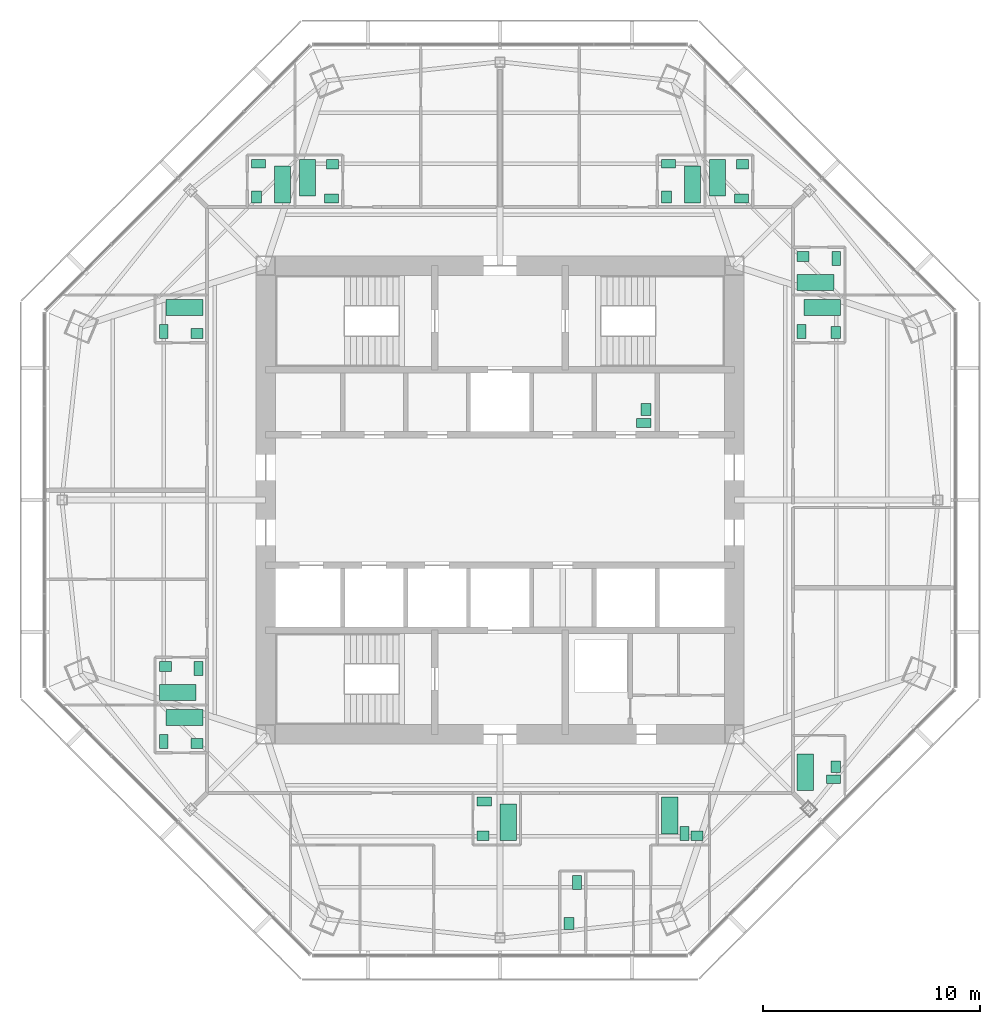
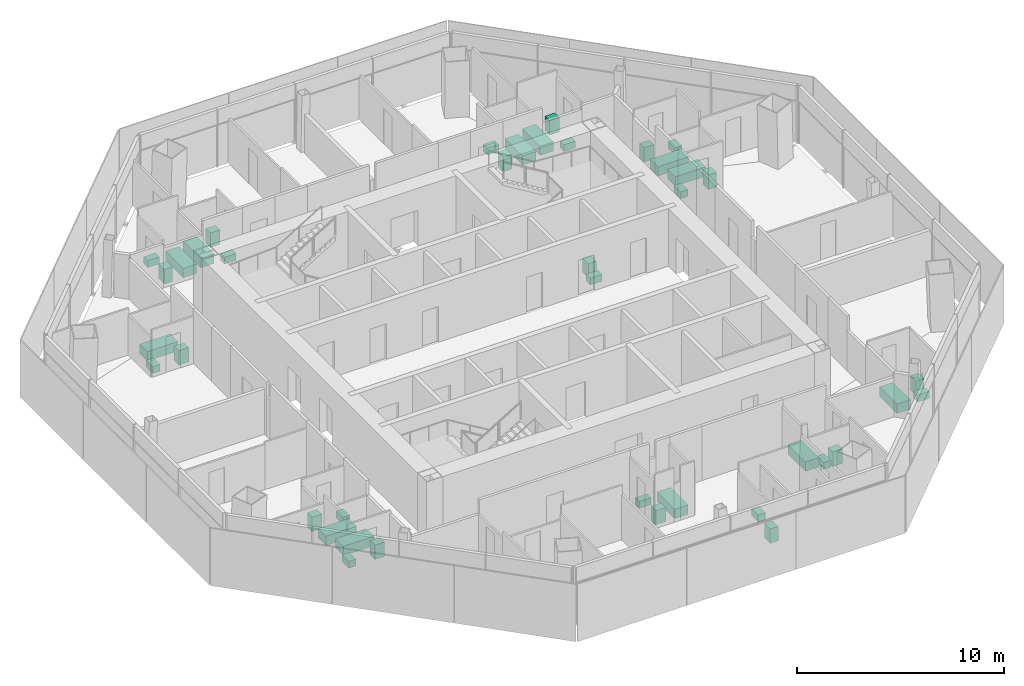
# One storey, part 15 of 15: 40 sanitary terminals.
"""IFC4 building model written with IfcOpenShell, lengths in metres."""

from ifc_helpers import new_model, si_unit, direction, frame, origin, origin_2d, place, context, subcontext, project, spatial, rectangle, extrude, material, type_object, element, save


model = new_model("IFC4")

# Units and contexts
model_context = context("Model", 3, precision=1e-05, world=origin(), true_north=direction((0.0, 1.0)))
body_context = subcontext(model_context, "Body", "Model", "MODEL_VIEW")
ifc_project = project(units=[si_unit("LENGTHUNIT", "METRE"), si_unit("AREAUNIT", "SQUARE_METRE"), si_unit("VOLUMEUNIT", "CUBIC_METRE"), si_unit("PLANEANGLEUNIT", "RADIAN"), si_unit("MASSUNIT", "GRAM", prefix="KILO")], contexts=[model_context])

# Site, building, storey
site_placement = place(None, origin())
site = spatial("IfcSite", under=ifc_project, at=site_placement, CompositionType="ELEMENT")
building_placement = place(site_placement, origin())
building = spatial("IfcBuilding", under=site, at=building_placement, Name="Mashrafa Tower", CompositionType="ELEMENT")
storey_placement = place(building_placement, frame((0.0, 0.0, 248.199951171875)))
storey = spatial("IfcBuildingStorey", under=building, at=storey_placement, Name="L59", CompositionType="ELEMENT", Elevation=248.199951171875)

# Sanitary terminals
ifc_material_1 = material(Name="Enamelled steel", Category="steel")
sanitary_terminal_type_1 = type_object("IfcSanitaryTerminalType", Name="Bath 1700 x 750", PredefinedType="BATH", material=ifc_material_1)
for number, where, z_axis, x_axis, name in (
    (1, (14.074951171875, -12.550048828125, 0.0), (0.0, 0.0, 1.0), (0.0, -1.0, 0.0), "Bath Apartment 5901 Bathroom"),
    (2, (14.550048828125, 10.02490234375, 0.0), (0.0, 0.0, 1.0), (1.0, 0.0, 0.0), "Bath Apartment 5902 En-suite Bathroom"),
    (3, (14.85009765625, 8.875, 0.0), (0.0, 0.0, 1.0), (-1.0, 0.0, 0.0), "Bath Apartment 5902 Bathroom"),
    (4, (10.02490234375, 14.85009765625, 0.0), (0.0, 0.0, 1.0), (0.0, -1.0, 0.0), "Bath Apartment 5903 En-suite Bathroom"),
    (5, (8.875, 14.550048828125, 0.0), (0.0, 0.0, 1.0), (0.0, 1.0, 0.0), "Bath Apartment 5903 Bathroom"),
    (6, (-10.02490234375, 14.550048828125, 0.0), (0.0, 0.0, 1.0), (0.0, 1.0, 0.0), "Bath Apartment 5904 En-suite Bathroom"),
    (7, (-8.875, 14.85009765625, 0.0), (0.0, 0.0, 1.0), (0.0, -1.0, 0.0), "Bath Apartment 5904 Bathroom"),
    (8, (-14.550048828125, 8.875, 0.0), (0.0, 0.0, 1.0), (-1.0, 0.0, 0.0), "Bath Apartment 5905 Bathroom"),
    (9, (-14.550048828125, -10.02490234375, 0.0), (0.0, 0.0, 1.0), (-1.0, 0.0, 0.0), "Bath Apartment 5906 En-suite Bathroom"),
    (10, (-14.85009765625, -8.875, 0.0), (0.0, 0.0, 1.0), (1.0, 0.0, 0.0), "Bath Apartment 5906 Bathroom"),
    (11, (0.375, -14.85009765625, 0.0), (0.0, 0.0, 1.0), (0.0, 1.0, 0.0), "Bath Apartment 5907 Bathroom"),
    (12, (7.824951171875, -14.550048828125, 0.0), (0.0, 0.0, 1.0), (0.0, -1.0, 0.0), "Bath Apartment 5907 En-suite Bathroom"),
):
    element("IfcSanitaryTerminal", number, at=place(storey_placement, frame(where, z_axis=z_axis, x_axis=x_axis)), inside=storey, type_object=sanitary_terminal_type_1, Name=name, PredefinedType="BATH", context=body_context, shape_type="SweptSolid", body=[
        extrude(rectangle(XDim=1.699951171875, YDim=0.75, at=origin_2d()), origin(), (0.0, 0.0, 1.0), 0.550048828125),
    ])
ifc_material_2 = material(Name="Vitreous china")
sanitary_terminal_type_2 = type_object("IfcSanitaryTerminalType", Name="Toilet pan 400 x 650", PredefinedType="TOILETPAN", material=ifc_material_2)
for number, where, z_axis, x_axis, name in (
    (13, (6.625, 3.550048828125, 0.0), (0.0, 0.0, 1.0), (0.0, 1.0, 0.0), "Toilet pan Staff WC L59"),
    (14, (15.375, -12.8701171875, 0.0), (0.0, 0.0, 1.0), (0.0, 1.0, 0.0), "Toilet pan Apartment 5901 Bathroom"),
    (15, (15.5, 11.125, 0.0), (0.0, 0.0, 1.0), (-1.0, 0.0, 0.0), "Toilet pan Apartment 5902 En-suite Bathroom"),
    (16, (13.89990234375, 7.77490234375, 0.0), (0.0, 0.0, 1.0), (1.0, 0.0, 0.0), "Toilet pan Apartment 5902 Bathroom"),
    (17, (11.125, 13.89990234375, 0.0), (0.0, 0.0, 1.0), (0.0, 1.0, 0.0), "Toilet pan Apartment 5903 En-suite Bathroom"),
    (18, (7.77490234375, 15.5, 0.0), (0.0, 0.0, 1.0), (0.0, -1.0, 0.0), "Toilet pan Apartment 5903 Bathroom"),
    (19, (-11.125, 15.5, 0.0), (0.0, 0.0, 1.0), (0.0, -1.0, 0.0), "Toilet pan Apartment 5904 En-suite Bathroom"),
    (20, (-7.77490234375, 13.89990234375, 0.0), (0.0, 0.0, 1.0), (0.0, 1.0, 0.0), "Toilet pan Apartment 5904 Bathroom"),
    (21, (-15.5, 7.77490234375, 0.0), (0.0, 0.0, 1.0), (1.0, 0.0, 0.0), "Toilet pan Apartment 5905 Bathroom"),
    (22, (-15.5, -11.125, 0.0), (0.0, 0.0, 1.0), (1.0, 0.0, 0.0), "Toilet pan Apartment 5906 En-suite Bathroom"),
    (23, (-13.89990234375, -7.77490234375, 0.0), (0.0, 0.0, 1.0), (-1.0, 0.0, 0.0), "Toilet pan Apartment 5906 Bathroom"),
    (24, (-0.72509765625, -13.89990234375, 0.0), (0.0, 0.0, 1.0), (0.0, -1.0, 0.0), "Toilet pan Apartment 5907 Bathroom"),
    (25, (3.550048828125, -17.625, 0.0), (0.0, 0.0, 1.0), (-1.0, 0.0, 0.0), "Toilet pan Apartment 5907 Maid's WC"),
    (26, (8.5, -15.375, 0.0), (0.0, 0.0, 1.0), (1.0, 0.0, 0.0), "Toilet pan Apartment 5907 En-suite Bathroom"),
):
    element("IfcSanitaryTerminal", number, at=place(storey_placement, frame(where, z_axis=z_axis, x_axis=x_axis)), inside=storey, type_object=sanitary_terminal_type_2, Name=name, PredefinedType="TOILETPAN", context=body_context, shape_type="SweptSolid", body=[
        extrude(rectangle(XDim=0.39990234375, YDim=0.64990234375, at=origin_2d()), origin(), (0.0, 0.0, 1.0), 0.39990234375),
    ])
ifc_material_3 = material(Name="Vitreous china")
sanitary_terminal_type_3 = type_object("IfcSanitaryTerminalType", Name="Wash basin 550 x 450", PredefinedType="WASHHANDBASIN", material=ifc_material_3)
for number, where, z_axis, x_axis, name in (
    (27, (6.72509765625, 4.175048828125, 0.0), (0.0, 0.0, 1.0), (0.0, 1.0, 0.0), "Wash basin Staff WC L59"),
    (28, (15.47509765625, -12.294921875, 0.0), (0.0, 0.0, 1.0), (0.0, 1.0, 0.0), "Wash basin Apartment 5901 Bathroom"),
    (29, (13.97509765625, 11.22509765625, 0.0), (0.0, 0.0, 1.0), (-1.0, 0.0, 0.0), "Wash basin Apartment 5902 En-suite Bathroom"),
    (30, (15.47509765625, 7.72509765625, 0.0), (0.0, 0.0, 1.0), (0.0, 1.0, 0.0), "Wash basin Apartment 5902 Bathroom"),
    (31, (11.175048828125, 15.47509765625, 0.0), (0.0, 0.0, 1.0), (-1.0, 0.0, 0.0), "Wash basin Apartment 5903 En-suite Bathroom"),
    (32, (7.675048828125, 13.97509765625, 0.0), (0.0, 0.0, 1.0), (0.0, -1.0, 0.0), "Wash basin Apartment 5903 Bathroom"),
    (33, (-11.22509765625, 13.97509765625, 0.0), (0.0, 0.0, 1.0), (0.0, -1.0, 0.0), "Wash basin Apartment 5904 En-suite Bathroom"),
    (34, (-7.72509765625, 15.47509765625, 0.0), (0.0, 0.0, 1.0), (-1.0, 0.0, 0.0), "Wash basin Apartment 5904 Bathroom"),
    (35, (-13.97509765625, 7.675048828125, 0.0), (0.0, 0.0, 1.0), (1.0, 0.0, 0.0), "Wash basin Apartment 5905 Bathroom"),
    (36, (-13.97509765625, -11.22509765625, 0.0), (0.0, 0.0, 1.0), (1.0, 0.0, 0.0), "Wash basin Apartment 5906 En-suite Bathroom"),
    (37, (-15.425048828125, -7.675048828125, 0.0), (0.0, 0.0, 1.0), (-1.0, 0.0, 0.0), "Wash basin Apartment 5906 Bathroom"),
    (38, (-0.77490234375, -15.47509765625, 0.0), (0.0, 0.0, 1.0), (1.0, 0.0, 0.0), "Wash basin Apartment 5907 Bathroom"),
    (39, (3.175048828125, -19.52490234375, 0.0), (0.0, 0.0, 1.0), (0.0, -1.0, 0.0), "Wash basin Apartment 5907 Maid's WC"),
    (40, (9.074951171875, -15.47509765625, 0.0), (0.0, 0.0, 1.0), (1.0, 0.0, 0.0), "Wash basin Apartment 5907 En-suite Bathroom"),
):
    element("IfcSanitaryTerminal", number, at=place(storey_placement, frame(where, z_axis=z_axis, x_axis=x_axis)), inside=storey, type_object=sanitary_terminal_type_3, Name=name, PredefinedType="WASHHANDBASIN", context=body_context, shape_type="SweptSolid", body=[
        extrude(rectangle(XDim=0.550048828125, YDim=0.449951171875, at=origin_2d()), origin(), (0.0, 0.0, 1.0), 0.85009765625),
    ])

save(model, "model.ifc")
